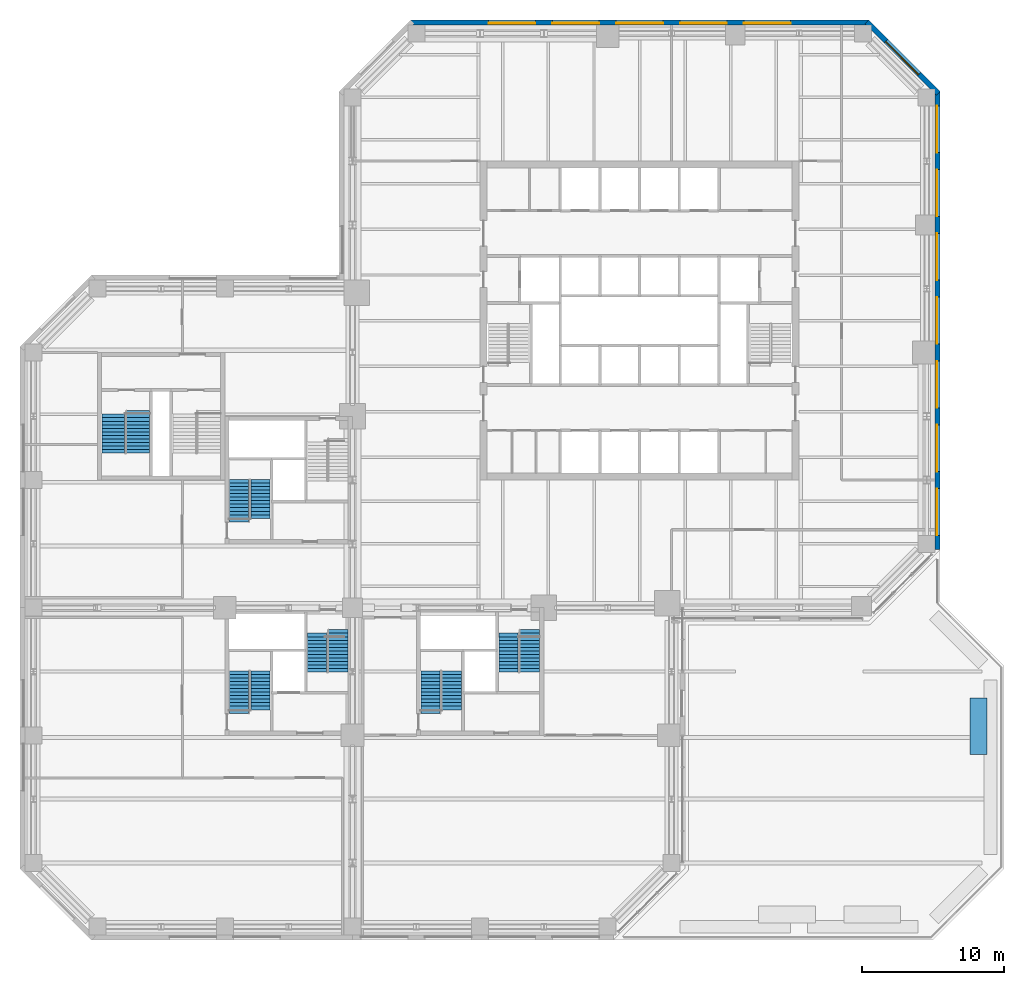
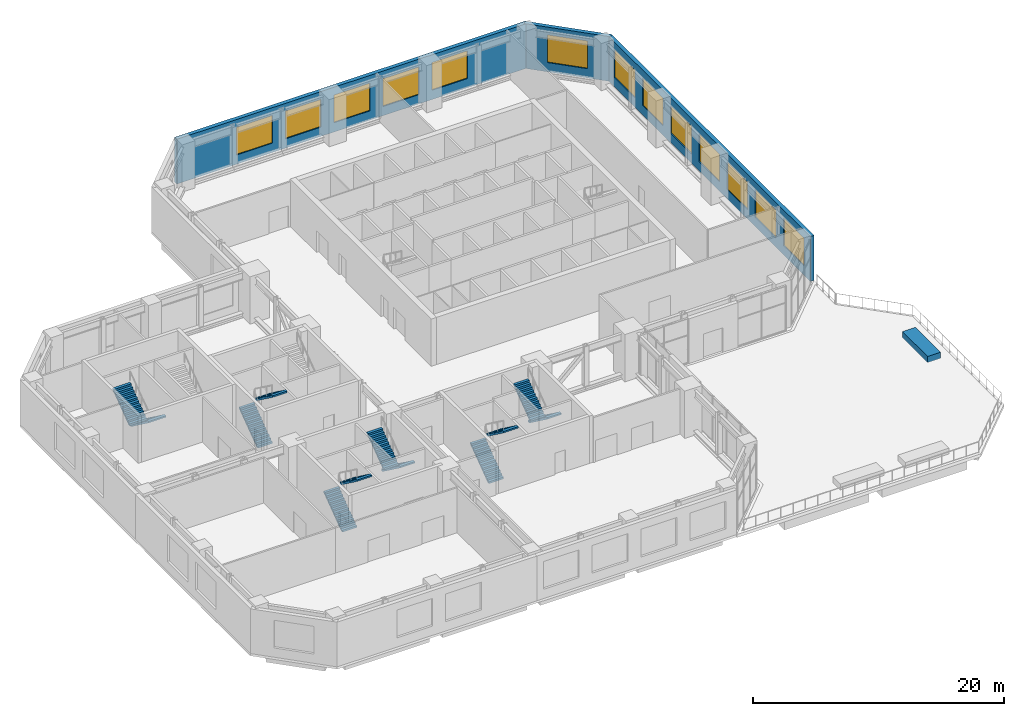
# One storey, part 17 of 21: 13 windows, 12 stair flights, 4 walls, 13 openings, 6 elements without a shape of their own.
"""IFC4 building model written with IfcOpenShell, lengths in metres."""

from ifc_helpers import new_model, si_unit, direction, frame, frame_2d, origin, place, context, subcontext, project, spatial, polyline, rectangle, outline, extrude, material, layer, layer_set, constituent, constituent_set, type_object, element, fill, aggregate, save


model = new_model("IFC4")

# Units and contexts
model_context = context("Model", 3, precision=1e-05, world=origin(), true_north=direction((0.0, 1.0)))
body_context = subcontext(model_context, "Body", "Model", "MODEL_VIEW")
ifc_project = project(units=[si_unit("LENGTHUNIT", "METRE"), si_unit("AREAUNIT", "SQUARE_METRE"), si_unit("VOLUMEUNIT", "CUBIC_METRE"), si_unit("PLANEANGLEUNIT", "RADIAN"), si_unit("MASSUNIT", "GRAM", prefix="KILO")], contexts=[model_context])

# Site, building, storey
site_placement = place(None, origin())
site = spatial("IfcSite", under=ifc_project, at=site_placement, CompositionType="ELEMENT")
building_placement = place(site_placement, origin())
building = spatial("IfcBuilding", under=site, at=building_placement, Name="Quoin Convention Tower", CompositionType="ELEMENT")
storey_placement = place(building_placement, frame((0.0, 0.0, 18.5)))
storey = spatial("IfcBuildingStorey", under=building, at=storey_placement, Name="L03", CompositionType="ELEMENT", Elevation=18.5)

# Wall, openings, windows
ifc_material_1 = material(Name="Brick masonry", Category="masonry")
ifc_layer_1 = layer(ifc_material_1, 0.35009765625)
ifc_layer_set_1 = layer_set([ifc_layer_1], Name="Brick masonry")
wall_type_1 = type_object("IfcWallType", Name="Brick facade wall", PredefinedType="STANDARD", material=ifc_layer_set_1)
wall_1_placement = place(storey_placement, frame((77.27490234375, 44.6064453125, 0.0), z_axis=(0.0, 0.0, 1.0), x_axis=(0.0, 1.0, 0.0)))
wall_1 = element("IfcWall", 1, at=wall_1_placement, inside=storey, type_object=wall_type_1, Name="fw-L03-76500_45000", PredefinedType="STANDARD", context=body_context, shape_type="SweptSolid", body=[
    extrude(rectangle(XDim=32.287109375, YDim=0.35009765625, at=frame_2d((16.1435546875, 0.0))), origin(), (0.0, 0.0, 1.0), 4.35498046875),
])
opening_1_placement = place(wall_1_placement, frame((0.993408203125, 0.0, 0.89990234375)))
opening_1 = element("IfcOpeningElement", 2, at=opening_1_placement, cuts=wall_1, Name="Opening W-03", PredefinedType="OPENING", context=body_context, shape_type="SweptSolid", body=[
    extrude(rectangle(XDim=3.300048828125, YDim=2.699951171875, at=frame_2d((1.64990234375, 1.35009765625))), frame((0.0, 0.18505859375, 0.0), z_axis=(0.0, -1.0, 0.0), x_axis=(1.0, 0.0, 0.0)), (0.0, 0.0, 1.0), 0.3701171875),
])
opening_2_placement = place(wall_1_placement, frame((5.493408203125, 0.0, 0.89990234375)))
opening_2 = element("IfcOpeningElement", 3, at=opening_2_placement, cuts=wall_1, Name="Opening W-03", PredefinedType="OPENING", context=body_context, shape_type="SweptSolid", body=[
    extrude(rectangle(XDim=3.300048828125, YDim=2.699951171875, at=frame_2d((1.64990234375, 1.35009765625))), frame((0.0, 0.18505859375, 0.0), z_axis=(0.0, -1.0, 0.0), x_axis=(1.0, 0.0, 0.0)), (0.0, 0.0, 1.0), 0.3701171875),
])
opening_3_placement = place(wall_1_placement, frame((9.993408203125, 0.0, 0.89990234375)))
opening_3 = element("IfcOpeningElement", 4, at=opening_3_placement, cuts=wall_1, Name="Opening W-03", PredefinedType="OPENING", context=body_context, shape_type="SweptSolid", body=[
    extrude(rectangle(XDim=3.300048828125, YDim=2.699951171875, at=frame_2d((1.64990234375, 1.35009765625))), frame((0.0, 0.18505859375, 0.0), z_axis=(0.0, -1.0, 0.0), x_axis=(1.0, 0.0, 0.0)), (0.0, 0.0, 1.0), 0.3701171875),
])
opening_4_placement = place(wall_1_placement, frame((14.493408203125, 0.0, 0.89990234375)))
opening_4 = element("IfcOpeningElement", 5, at=opening_4_placement, cuts=wall_1, Name="Opening W-03", PredefinedType="OPENING", context=body_context, shape_type="SweptSolid", body=[
    extrude(rectangle(XDim=3.300048828125, YDim=2.699951171875, at=frame_2d((1.64990234375, 1.35009765625))), frame((0.0, 0.18505859375, 0.0), z_axis=(0.0, -1.0, 0.0), x_axis=(1.0, 0.0, 0.0)), (0.0, 0.0, 1.0), 0.3701171875),
])
opening_5_placement = place(wall_1_placement, frame((18.993408203125, 0.0, 0.89990234375)))
opening_5 = element("IfcOpeningElement", 6, at=opening_5_placement, cuts=wall_1, Name="Opening W-03", PredefinedType="OPENING", context=body_context, shape_type="SweptSolid", body=[
    extrude(rectangle(XDim=3.300048828125, YDim=2.699951171875, at=frame_2d((1.64990234375, 1.35009765625))), frame((0.0, 0.18505859375, 0.0), z_axis=(0.0, -1.0, 0.0), x_axis=(1.0, 0.0, 0.0)), (0.0, 0.0, 1.0), 0.3701171875),
])
opening_6_placement = place(wall_1_placement, frame((23.493408203125, 0.0, 0.89990234375)))
opening_6 = element("IfcOpeningElement", 7, at=opening_6_placement, cuts=wall_1, Name="Opening W-03", PredefinedType="OPENING", context=body_context, shape_type="SweptSolid", body=[
    extrude(rectangle(XDim=3.300048828125, YDim=2.699951171875, at=frame_2d((1.64990234375, 1.35009765625))), frame((0.0, 0.18505859375, 0.0), z_axis=(0.0, -1.0, 0.0), x_axis=(1.0, 0.0, 0.0)), (0.0, 0.0, 1.0), 0.3701171875),
])
opening_7_placement = place(wall_1_placement, frame((27.993408203125, 0.0, 0.89990234375)))
opening_7 = element("IfcOpeningElement", 8, at=opening_7_placement, cuts=wall_1, Name="Opening W-03", PredefinedType="OPENING", context=body_context, shape_type="SweptSolid", body=[
    extrude(rectangle(XDim=3.300048828125, YDim=2.699951171875, at=frame_2d((1.64990234375, 1.35009765625))), frame((0.0, 0.18505859375, 0.0), z_axis=(0.0, -1.0, 0.0), x_axis=(1.0, 0.0, 0.0)), (0.0, 0.0, 1.0), 0.3701171875),
])
ifc_material_2 = material(Name="Aluminium", Category="aluminium")
ifc_constituent_1 = constituent(ifc_material_2, Name="Frame")
ifc_material_3 = material(Name="Insulated glass", Category="glass")
ifc_constituent_2 = constituent(ifc_material_3, Name="Glazing")
ifc_constituent_set = constituent_set(constituents=[ifc_constituent_1, ifc_constituent_2], Name="Aluminium")
window_type = type_object("IfcWindowType", Name="Sky lobby window", PartitioningType="DOUBLE_PANEL_VERTICAL", PredefinedType="WINDOW", material=ifc_constituent_set)
window_1_placement = place(opening_1_placement, origin())
window_1 = element("IfcWindow", 9, at=window_1_placement, inside=storey, type_object=window_type, Name="win-L03-77275_47250", OverallHeight=2.699951171875, OverallWidth=3.300048828125, PartitioningType="SINGLE_PANEL", PredefinedType="WINDOW", context=body_context, shape_type="SweptSolid", body=[
    extrude(rectangle(XDim=3.300048828125, YDim=2.699951171875, at=frame_2d((1.64990234375, 1.35009765625))), frame((0.0, 0.0849609375, 0.0), z_axis=(0.0, -1.0, 0.0), x_axis=(1.0, 0.0, 0.0)), (0.0, 0.0, 1.0), 0.06005859375),
])
fill(opening_1, window_1)
window_2_placement = place(opening_2_placement, origin())
window_2 = element("IfcWindow", 10, at=window_2_placement, inside=storey, type_object=window_type, Name="win-L03-77275_51750", OverallHeight=2.699951171875, OverallWidth=3.300048828125, PartitioningType="SINGLE_PANEL", PredefinedType="WINDOW", context=body_context, shape_type="SweptSolid", body=[
    extrude(rectangle(XDim=3.300048828125, YDim=2.699951171875, at=frame_2d((1.64990234375, 1.35009765625))), frame((0.0, 0.0849609375, 0.0), z_axis=(0.0, -1.0, 0.0), x_axis=(1.0, 0.0, 0.0)), (0.0, 0.0, 1.0), 0.06005859375),
])
fill(opening_2, window_2)
window_3_placement = place(opening_3_placement, origin())
window_3 = element("IfcWindow", 11, at=window_3_placement, inside=storey, type_object=window_type, Name="win-L03-77275_56250", OverallHeight=2.699951171875, OverallWidth=3.300048828125, PartitioningType="SINGLE_PANEL", PredefinedType="WINDOW", context=body_context, shape_type="SweptSolid", body=[
    extrude(rectangle(XDim=3.300048828125, YDim=2.699951171875, at=frame_2d((1.64990234375, 1.35009765625))), frame((0.0, 0.0849609375, 0.0), z_axis=(0.0, -1.0, 0.0), x_axis=(1.0, 0.0, 0.0)), (0.0, 0.0, 1.0), 0.06005859375),
])
fill(opening_3, window_3)
window_4_placement = place(opening_4_placement, origin())
window_4 = element("IfcWindow", 12, at=window_4_placement, inside=storey, type_object=window_type, Name="win-L03-77275_60750", OverallHeight=2.699951171875, OverallWidth=3.300048828125, PartitioningType="SINGLE_PANEL", PredefinedType="WINDOW", context=body_context, shape_type="SweptSolid", body=[
    extrude(rectangle(XDim=3.300048828125, YDim=2.699951171875, at=frame_2d((1.64990234375, 1.35009765625))), frame((0.0, 0.0849609375, 0.0), z_axis=(0.0, -1.0, 0.0), x_axis=(1.0, 0.0, 0.0)), (0.0, 0.0, 1.0), 0.06005859375),
])
fill(opening_4, window_4)
window_5_placement = place(opening_5_placement, origin())
window_5 = element("IfcWindow", 13, at=window_5_placement, inside=storey, type_object=window_type, Name="win-L03-77275_65250", OverallHeight=2.699951171875, OverallWidth=3.300048828125, PartitioningType="SINGLE_PANEL", PredefinedType="WINDOW", context=body_context, shape_type="SweptSolid", body=[
    extrude(rectangle(XDim=3.300048828125, YDim=2.699951171875, at=frame_2d((1.64990234375, 1.35009765625))), frame((0.0, 0.0849609375, 0.0), z_axis=(0.0, -1.0, 0.0), x_axis=(1.0, 0.0, 0.0)), (0.0, 0.0, 1.0), 0.06005859375),
])
fill(opening_5, window_5)
window_6_placement = place(opening_6_placement, origin())
window_6 = element("IfcWindow", 14, at=window_6_placement, inside=storey, type_object=window_type, Name="win-L03-77275_69750", OverallHeight=2.699951171875, OverallWidth=3.300048828125, PartitioningType="SINGLE_PANEL", PredefinedType="WINDOW", context=body_context, shape_type="SweptSolid", body=[
    extrude(rectangle(XDim=3.300048828125, YDim=2.699951171875, at=frame_2d((1.64990234375, 1.35009765625))), frame((0.0, 0.0849609375, 0.0), z_axis=(0.0, -1.0, 0.0), x_axis=(1.0, 0.0, 0.0)), (0.0, 0.0, 1.0), 0.06005859375),
])
fill(opening_6, window_6)
window_7_placement = place(opening_7_placement, origin())
window_7 = element("IfcWindow", 15, at=window_7_placement, inside=storey, type_object=window_type, Name="win-L03-77275_74250", OverallHeight=2.699951171875, OverallWidth=3.300048828125, PartitioningType="SINGLE_PANEL", PredefinedType="WINDOW", context=body_context, shape_type="SweptSolid", body=[
    extrude(rectangle(XDim=3.300048828125, YDim=2.699951171875, at=frame_2d((1.64990234375, 1.35009765625))), frame((0.0, 0.0849609375, 0.0), z_axis=(0.0, -1.0, 0.0), x_axis=(1.0, 0.0, 0.0)), (0.0, 0.0, 1.0), 0.06005859375),
])
fill(opening_7, window_7)

# Wall, opening, window
wall_2_placement = place(storey_placement, frame((77.326416015625, 76.769775390625, 0.0), z_axis=(0.0, 0.0, 1.0), x_axis=(-0.707106781187, 0.707106781187, 0.0)))
wall_2 = element("IfcWall", 16, at=wall_2_placement, inside=storey, type_object=wall_type_1, Name="fw-L03-76500_76500", PredefinedType="STANDARD", context=body_context, shape_type="SweptSolid", body=[
    extrude(rectangle(XDim=7.151123046875, YDim=0.35009765625, at=frame_2d((3.57568359375, 0.0))), origin(), (0.0, 0.0, 1.0), 4.35498046875),
])
opening_8_placement = place(wall_2_placement, frame((1.925537109375, 0.0, 0.89990234375)))
opening_8 = element("IfcOpeningElement", 17, at=opening_8_placement, cuts=wall_2, Name="Opening W-03", PredefinedType="OPENING", context=body_context, shape_type="SweptSolid", body=[
    extrude(rectangle(XDim=3.300048828125, YDim=2.699951171875, at=frame_2d((1.64990234375, 1.35009765625))), frame((0.0, 0.18505859375, 0.0), z_axis=(0.0, -1.0, 0.0), x_axis=(1.0, 0.0, 0.0)), (0.0, 0.0, 1.0), 0.3701171875),
])
window_8_placement = place(opening_8_placement, origin())
window_8 = element("IfcWindow", 18, at=window_8_placement, inside=storey, type_object=window_type, Name="win-L03-74798_79298", OverallHeight=2.699951171875, OverallWidth=3.300048828125, PartitioningType="SINGLE_PANEL", PredefinedType="WINDOW", context=body_context, shape_type="SweptSolid", body=[
    extrude(rectangle(XDim=3.300048828125, YDim=2.699951171875, at=frame_2d((1.64990234375, 1.35009765625))), frame((0.0, 0.0849609375, 0.0), z_axis=(0.0, -1.0, 0.0), x_axis=(1.0, 0.0, 0.0)), (0.0, 0.0, 1.0), 0.06005859375),
])
fill(opening_8, window_8)

# Wall, openings, windows
wall_3_placement = place(storey_placement, frame((72.3935546875, 81.77490234375, 0.0), z_axis=(0.0, 0.0, 1.0), x_axis=(-1.0, 0.0, 0.0)))
wall_3 = element("IfcWall", 19, at=wall_3_placement, inside=storey, type_object=wall_type_1, Name="fw-L03-72000_81000", PredefinedType="STANDARD", context=body_context, shape_type="SweptSolid", body=[
    extrude(rectangle(XDim=32.287109375, YDim=0.35009765625, at=frame_2d((16.1435546875, 0.0))), origin(), (0.0, 0.0, 1.0), 4.35498046875),
])
opening_9_placement = place(wall_3_placement, frame((5.493408203125, 0.0, 0.89990234375)))
opening_9 = element("IfcOpeningElement", 20, at=opening_9_placement, cuts=wall_3, Name="Opening W-03", PredefinedType="OPENING", context=body_context, shape_type="SweptSolid", body=[
    extrude(rectangle(XDim=3.300048828125, YDim=2.699951171875, at=frame_2d((1.64990234375, 1.35009765625))), frame((0.0, 0.18505859375, 0.0), z_axis=(0.0, -1.0, 0.0), x_axis=(1.0, 0.0, 0.0)), (0.0, 0.0, 1.0), 0.3701171875),
])
opening_10_placement = place(wall_3_placement, frame((9.993408203125, 0.0, 0.89990234375)))
opening_10 = element("IfcOpeningElement", 21, at=opening_10_placement, cuts=wall_3, Name="Opening W-03", PredefinedType="OPENING", context=body_context, shape_type="SweptSolid", body=[
    extrude(rectangle(XDim=3.300048828125, YDim=2.699951171875, at=frame_2d((1.64990234375, 1.35009765625))), frame((0.0, 0.18505859375, 0.0), z_axis=(0.0, -1.0, 0.0), x_axis=(1.0, 0.0, 0.0)), (0.0, 0.0, 1.0), 0.3701171875),
])
opening_11_placement = place(wall_3_placement, frame((14.493408203125, 0.0, 0.89990234375)))
opening_11 = element("IfcOpeningElement", 22, at=opening_11_placement, cuts=wall_3, Name="Opening W-03", PredefinedType="OPENING", context=body_context, shape_type="SweptSolid", body=[
    extrude(rectangle(XDim=3.300048828125, YDim=2.699951171875, at=frame_2d((1.64990234375, 1.35009765625))), frame((0.0, 0.18505859375, 0.0), z_axis=(0.0, -1.0, 0.0), x_axis=(1.0, 0.0, 0.0)), (0.0, 0.0, 1.0), 0.3701171875),
])
opening_12_placement = place(wall_3_placement, frame((18.993408203125, 0.0, 0.89990234375)))
opening_12 = element("IfcOpeningElement", 23, at=opening_12_placement, cuts=wall_3, Name="Opening W-03", PredefinedType="OPENING", context=body_context, shape_type="SweptSolid", body=[
    extrude(rectangle(XDim=3.300048828125, YDim=2.699951171875, at=frame_2d((1.64990234375, 1.35009765625))), frame((0.0, 0.18505859375, 0.0), z_axis=(0.0, -1.0, 0.0), x_axis=(1.0, 0.0, 0.0)), (0.0, 0.0, 1.0), 0.3701171875),
])
opening_13_placement = place(wall_3_placement, frame((23.493408203125, 0.0, 0.89990234375)))
opening_13 = element("IfcOpeningElement", 24, at=opening_13_placement, cuts=wall_3, Name="Opening W-03", PredefinedType="OPENING", context=body_context, shape_type="SweptSolid", body=[
    extrude(rectangle(XDim=3.300048828125, YDim=2.699951171875, at=frame_2d((1.64990234375, 1.35009765625))), frame((0.0, 0.18505859375, 0.0), z_axis=(0.0, -1.0, 0.0), x_axis=(1.0, 0.0, 0.0)), (0.0, 0.0, 1.0), 0.3701171875),
])
window_9_placement = place(opening_9_placement, origin())
window_9 = element("IfcWindow", 25, at=window_9_placement, inside=storey, type_object=window_type, Name="win-L03-65250_81775", OverallHeight=2.699951171875, OverallWidth=3.300048828125, PartitioningType="SINGLE_PANEL", PredefinedType="WINDOW", context=body_context, shape_type="SweptSolid", body=[
    extrude(rectangle(XDim=3.300048828125, YDim=2.699951171875, at=frame_2d((1.64990234375, 1.35009765625))), frame((0.0, 0.0849609375, 0.0), z_axis=(0.0, -1.0, 0.0), x_axis=(1.0, 0.0, 0.0)), (0.0, 0.0, 1.0), 0.06005859375),
])
fill(opening_9, window_9)
window_10_placement = place(opening_10_placement, origin())
window_10 = element("IfcWindow", 26, at=window_10_placement, inside=storey, type_object=window_type, Name="win-L03-60750_81775", OverallHeight=2.699951171875, OverallWidth=3.300048828125, PartitioningType="SINGLE_PANEL", PredefinedType="WINDOW", context=body_context, shape_type="SweptSolid", body=[
    extrude(rectangle(XDim=3.300048828125, YDim=2.699951171875, at=frame_2d((1.64990234375, 1.35009765625))), frame((0.0, 0.0849609375, 0.0), z_axis=(0.0, -1.0, 0.0), x_axis=(1.0, 0.0, 0.0)), (0.0, 0.0, 1.0), 0.06005859375),
])
fill(opening_10, window_10)
window_11_placement = place(opening_11_placement, origin())
window_11 = element("IfcWindow", 27, at=window_11_placement, inside=storey, type_object=window_type, Name="win-L03-56250_81775", OverallHeight=2.699951171875, OverallWidth=3.300048828125, PartitioningType="SINGLE_PANEL", PredefinedType="WINDOW", context=body_context, shape_type="SweptSolid", body=[
    extrude(rectangle(XDim=3.300048828125, YDim=2.699951171875, at=frame_2d((1.64990234375, 1.35009765625))), frame((0.0, 0.0849609375, 0.0), z_axis=(0.0, -1.0, 0.0), x_axis=(1.0, 0.0, 0.0)), (0.0, 0.0, 1.0), 0.06005859375),
])
fill(opening_11, window_11)
window_12_placement = place(opening_12_placement, origin())
window_12 = element("IfcWindow", 28, at=window_12_placement, inside=storey, type_object=window_type, Name="win-L03-51750_81775", OverallHeight=2.699951171875, OverallWidth=3.300048828125, PartitioningType="SINGLE_PANEL", PredefinedType="WINDOW", context=body_context, shape_type="SweptSolid", body=[
    extrude(rectangle(XDim=3.300048828125, YDim=2.699951171875, at=frame_2d((1.64990234375, 1.35009765625))), frame((0.0, 0.0849609375, 0.0), z_axis=(0.0, -1.0, 0.0), x_axis=(1.0, 0.0, 0.0)), (0.0, 0.0, 1.0), 0.06005859375),
])
fill(opening_12, window_12)
window_13_placement = place(opening_13_placement, origin())
window_13 = element("IfcWindow", 29, at=window_13_placement, inside=storey, type_object=window_type, Name="win-L03-47250_81775", OverallHeight=2.699951171875, OverallWidth=3.300048828125, PartitioningType="SINGLE_PANEL", PredefinedType="WINDOW", context=body_context, shape_type="SweptSolid", body=[
    extrude(rectangle(XDim=3.300048828125, YDim=2.699951171875, at=frame_2d((1.64990234375, 1.35009765625))), frame((0.0, 0.0849609375, 0.0), z_axis=(0.0, -1.0, 0.0), x_axis=(1.0, 0.0, 0.0)), (0.0, 0.0, 1.0), 0.06005859375),
])
fill(opening_13, window_13)

# Wall
ifc_material_4 = material(Name="Concrete C40", Category="concrete")
ifc_layer_2 = layer(ifc_material_4, 1.199951171875)
ifc_layer_set_2 = layer_set([ifc_layer_2], Name="Concrete C40")
wall_type_2 = type_object("IfcWallType", Name="Planter bed", PredefinedType="STANDARD", material=ifc_layer_set_2)
wall_4_placement = place(storey_placement, frame((80.14990234375, 34.14794921875, 0.0), z_axis=(0.0, 0.0, 1.0), x_axis=(0.0, -1.0, 0.0)))
element("IfcWall", 30, at=wall_4_placement, inside=storey, type_object=wall_type_2, Name="PLANTER L03 01", PredefinedType="STANDARD", context=body_context, shape_type="SweptSolid", body=[
    extrude(rectangle(XDim=4.0, YDim=1.199951171875, at=frame_2d((2.0, 0.0))), origin(), (0.0, 0.0, 1.0), 0.60009765625),
])

# Stair, stair flights
stair_type_1 = type_object("IfcStairType", Name="Exit stair two-flight 1350", PredefinedType="HALF_TURN_STAIR", material=ifc_material_4)
stair_1_placement = place(storey_placement, origin())
stair_1 = element("IfcStair", 31, at=stair_1_placement, inside=storey, type_object=stair_type_1, Name="SD3 L03", PredefinedType="HALF_TURN_STAIR")
stair_flight_type_1 = type_object("IfcStairFlightType", Name="Stair flight 1350", PredefinedType="STRAIGHT", material=ifc_material_4)
stair_flight_1_placement = place(storey_placement, frame((28.0, 46.550048828125, 0.0), z_axis=(0.0, 0.0, 1.0), x_axis=(0.0, 1.0, 0.0)))
stair_flight_1 = element("IfcStairFlight", 32, at=stair_flight_1_placement, type_object=stair_flight_type_1, Name="ST3 flight 1", NumberOfRisers=13, NumberOfTreads=12, PredefinedType="STRAIGHT", RiserHeight=0.184, TreadLength=0.25, context=body_context, shape_type="SweptSolid", body=[
    extrude(outline(polyline([(0.0, 0.0), (0.0, 0.18408203125), (0.25, 0.18408203125), (0.25, 0.367919921875), (0.5, 0.367919921875), (0.5, 0.552001953125), (0.75, 0.552001953125), (0.75, 0.736083984375), (1.0, 0.736083984375), (1.0, 0.919921875), (1.25, 0.919921875), (1.25, 1.10400390625), (1.5, 1.10400390625), (1.5, 1.2880859375), (1.75, 1.2880859375), (1.75, 1.471923828125), (2.0, 1.471923828125), (2.0, 1.656005859375), (2.25, 1.656005859375), (2.25, 1.840087890625), (2.5, 1.840087890625), (2.5, 2.02392578125), (2.75, 2.02392578125), (2.75, 2.2080078125), (3.0, 2.2080078125), (3.0, 2.39208984375), (3.0, 2.058837890625), (0.20263671875, 0.0), (0.0, 0.0)])), frame((0.0, 0.675048828125, 0.0), z_axis=(0.0, -1.0, 0.0), x_axis=(1.0, 0.0, 0.0)), (0.0, 0.0, 1.0), 1.35009765625),
])
stair_flight_2_placement = place(storey_placement, frame((29.5, 49.550048828125, 2.39208984375), z_axis=(0.0, 0.0, 1.0), x_axis=(0.0, -1.0, 0.0)))
stair_flight_2 = element("IfcStairFlight", 33, at=stair_flight_2_placement, type_object=stair_flight_type_1, Name="ST3 flight 2", NumberOfRisers=12, NumberOfTreads=11, PredefinedType="STRAIGHT", RiserHeight=0.184, TreadLength=0.25, context=body_context, shape_type="SweptSolid", body=[
    extrude(outline(polyline([(0.0, 0.0), (0.0, 0.18408203125), (0.25, 0.18408203125), (0.25, 0.367919921875), (0.5, 0.367919921875), (0.5, 0.552001953125), (0.75, 0.552001953125), (0.75, 0.736083984375), (1.0, 0.736083984375), (1.0, 0.919921875), (1.25, 0.919921875), (1.25, 1.10400390625), (1.5, 1.10400390625), (1.5, 1.2880859375), (1.75, 1.2880859375), (1.75, 1.471923828125), (2.0, 1.471923828125), (2.0, 1.656005859375), (2.25, 1.656005859375), (2.25, 1.840087890625), (2.5, 1.840087890625), (2.5, 2.02392578125), (2.75, 2.02392578125), (2.75, 2.2080078125), (2.75, 1.874755859375), (0.20263671875, 0.0), (0.0, 0.0)])), frame((0.0, 0.675048828125, 0.0), z_axis=(0.0, -1.0, 0.0), x_axis=(1.0, 0.0, 0.0)), (0.0, 0.0, 1.0), 1.35009765625),
])
aggregate(stair_1, [stair_flight_1, stair_flight_2])

stair_2_placement = place(storey_placement, origin())
stair_2 = element("IfcStair", 34, at=stair_2_placement, inside=storey, type_object=stair_type_1, Name="SD5 L03", PredefinedType="HALF_TURN_STAIR")
stair_flight_3_placement = place(storey_placement, frame((41.5, 33.050048828125, 0.0), z_axis=(0.0, 0.0, 1.0), x_axis=(0.0, 1.0, 0.0)))
stair_flight_3 = element("IfcStairFlight", 35, at=stair_flight_3_placement, type_object=stair_flight_type_1, Name="ST5 flight 1", NumberOfRisers=13, NumberOfTreads=12, PredefinedType="STRAIGHT", RiserHeight=0.184, TreadLength=0.25, context=body_context, shape_type="SweptSolid", body=[
    extrude(outline(polyline([(0.0, 0.0), (0.0, 0.18408203125), (0.25, 0.18408203125), (0.25, 0.367919921875), (0.5, 0.367919921875), (0.5, 0.552001953125), (0.75, 0.552001953125), (0.75, 0.736083984375), (1.0, 0.736083984375), (1.0, 0.919921875), (1.25, 0.919921875), (1.25, 1.10400390625), (1.5, 1.10400390625), (1.5, 1.2880859375), (1.75, 1.2880859375), (1.75, 1.471923828125), (2.0, 1.471923828125), (2.0, 1.656005859375), (2.25, 1.656005859375), (2.25, 1.840087890625), (2.5, 1.840087890625), (2.5, 2.02392578125), (2.75, 2.02392578125), (2.75, 2.2080078125), (3.0, 2.2080078125), (3.0, 2.39208984375), (3.0, 2.058837890625), (0.20263671875, 0.0), (0.0, 0.0)])), frame((0.0, 0.675048828125, 0.0), z_axis=(0.0, -1.0, 0.0), x_axis=(1.0, 0.0, 0.0)), (0.0, 0.0, 1.0), 1.35009765625),
])
stair_flight_4_placement = place(storey_placement, frame((43.0, 36.050048828125, 2.39208984375), z_axis=(0.0, 0.0, 1.0), x_axis=(0.0, -1.0, 0.0)))
stair_flight_4 = element("IfcStairFlight", 36, at=stair_flight_4_placement, type_object=stair_flight_type_1, Name="ST5 flight 2", NumberOfRisers=12, NumberOfTreads=11, PredefinedType="STRAIGHT", RiserHeight=0.184, TreadLength=0.25, context=body_context, shape_type="SweptSolid", body=[
    extrude(outline(polyline([(0.0, 0.0), (0.0, 0.18408203125), (0.25, 0.18408203125), (0.25, 0.367919921875), (0.5, 0.367919921875), (0.5, 0.552001953125), (0.75, 0.552001953125), (0.75, 0.736083984375), (1.0, 0.736083984375), (1.0, 0.919921875), (1.25, 0.919921875), (1.25, 1.10400390625), (1.5, 1.10400390625), (1.5, 1.2880859375), (1.75, 1.2880859375), (1.75, 1.471923828125), (2.0, 1.471923828125), (2.0, 1.656005859375), (2.25, 1.656005859375), (2.25, 1.840087890625), (2.5, 1.840087890625), (2.5, 2.02392578125), (2.75, 2.02392578125), (2.75, 2.2080078125), (2.75, 1.874755859375), (0.20263671875, 0.0), (0.0, 0.0)])), frame((0.0, 0.675048828125, 0.0), z_axis=(0.0, -1.0, 0.0), x_axis=(1.0, 0.0, 0.0)), (0.0, 0.0, 1.0), 1.35009765625),
])
aggregate(stair_2, [stair_flight_3, stair_flight_4])

stair_3_placement = place(storey_placement, origin())
stair_3 = element("IfcStair", 37, at=stair_3_placement, inside=storey, type_object=stair_type_1, Name="SD6 L03", PredefinedType="HALF_TURN_STAIR")
stair_flight_5_placement = place(storey_placement, frame((48.5, 38.949951171875, 0.0), z_axis=(0.0, 0.0, 1.0), x_axis=(0.0, -1.0, 0.0)))
stair_flight_5 = element("IfcStairFlight", 38, at=stair_flight_5_placement, type_object=stair_flight_type_1, Name="ST6 flight 1", NumberOfRisers=13, NumberOfTreads=12, PredefinedType="STRAIGHT", RiserHeight=0.184, TreadLength=0.25, context=body_context, shape_type="SweptSolid", body=[
    extrude(outline(polyline([(0.0, 0.0), (0.0, 0.18408203125), (0.25, 0.18408203125), (0.25, 0.367919921875), (0.5, 0.367919921875), (0.5, 0.552001953125), (0.75, 0.552001953125), (0.75, 0.736083984375), (1.0, 0.736083984375), (1.0, 0.919921875), (1.25, 0.919921875), (1.25, 1.10400390625), (1.5, 1.10400390625), (1.5, 1.2880859375), (1.75, 1.2880859375), (1.75, 1.471923828125), (2.0, 1.471923828125), (2.0, 1.656005859375), (2.25, 1.656005859375), (2.25, 1.840087890625), (2.5, 1.840087890625), (2.5, 2.02392578125), (2.75, 2.02392578125), (2.75, 2.2080078125), (3.0, 2.2080078125), (3.0, 2.39208984375), (3.0, 2.058837890625), (0.20263671875, 0.0), (0.0, 0.0)])), frame((0.0, 0.675048828125, 0.0), z_axis=(0.0, -1.0, 0.0), x_axis=(1.0, 0.0, 0.0)), (0.0, 0.0, 1.0), 1.35009765625),
])
stair_flight_6_placement = place(storey_placement, frame((47.0, 35.949951171875, 2.39208984375), z_axis=(0.0, 0.0, 1.0), x_axis=(0.0, 1.0, 0.0)))
stair_flight_6 = element("IfcStairFlight", 39, at=stair_flight_6_placement, type_object=stair_flight_type_1, Name="ST6 flight 2", NumberOfRisers=12, NumberOfTreads=11, PredefinedType="STRAIGHT", RiserHeight=0.184, TreadLength=0.25, context=body_context, shape_type="SweptSolid", body=[
    extrude(outline(polyline([(0.0, 0.0), (0.0, 0.18408203125), (0.25, 0.18408203125), (0.25, 0.367919921875), (0.5, 0.367919921875), (0.5, 0.552001953125), (0.75, 0.552001953125), (0.75, 0.736083984375), (1.0, 0.736083984375), (1.0, 0.919921875), (1.25, 0.919921875), (1.25, 1.10400390625), (1.5, 1.10400390625), (1.5, 1.2880859375), (1.75, 1.2880859375), (1.75, 1.471923828125), (2.0, 1.471923828125), (2.0, 1.656005859375), (2.25, 1.656005859375), (2.25, 1.840087890625), (2.5, 1.840087890625), (2.5, 2.02392578125), (2.75, 2.02392578125), (2.75, 2.2080078125), (2.75, 1.874755859375), (0.20263671875, 0.0), (0.0, 0.0)])), frame((0.0, 0.675048828125, 0.0), z_axis=(0.0, -1.0, 0.0), x_axis=(1.0, 0.0, 0.0)), (0.0, 0.0, 1.0), 1.35009765625),
])
aggregate(stair_3, [stair_flight_5, stair_flight_6])

stair_4_placement = place(storey_placement, origin())
stair_4 = element("IfcStair", 40, at=stair_4_placement, inside=storey, type_object=stair_type_1, Name="SD7 L03", PredefinedType="HALF_TURN_STAIR")
stair_flight_7_placement = place(storey_placement, frame((28.0, 33.050048828125, 0.0), z_axis=(0.0, 0.0, 1.0), x_axis=(0.0, 1.0, 0.0)))
stair_flight_7 = element("IfcStairFlight", 41, at=stair_flight_7_placement, type_object=stair_flight_type_1, Name="ST7 flight 1", NumberOfRisers=13, NumberOfTreads=12, PredefinedType="STRAIGHT", RiserHeight=0.184, TreadLength=0.25, context=body_context, shape_type="SweptSolid", body=[
    extrude(outline(polyline([(0.0, 0.0), (0.0, 0.18408203125), (0.25, 0.18408203125), (0.25, 0.367919921875), (0.5, 0.367919921875), (0.5, 0.552001953125), (0.75, 0.552001953125), (0.75, 0.736083984375), (1.0, 0.736083984375), (1.0, 0.919921875), (1.25, 0.919921875), (1.25, 1.10400390625), (1.5, 1.10400390625), (1.5, 1.2880859375), (1.75, 1.2880859375), (1.75, 1.471923828125), (2.0, 1.471923828125), (2.0, 1.656005859375), (2.25, 1.656005859375), (2.25, 1.840087890625), (2.5, 1.840087890625), (2.5, 2.02392578125), (2.75, 2.02392578125), (2.75, 2.2080078125), (3.0, 2.2080078125), (3.0, 2.39208984375), (3.0, 2.058837890625), (0.20263671875, 0.0), (0.0, 0.0)])), frame((0.0, 0.675048828125, 0.0), z_axis=(0.0, -1.0, 0.0), x_axis=(1.0, 0.0, 0.0)), (0.0, 0.0, 1.0), 1.35009765625),
])
stair_flight_8_placement = place(storey_placement, frame((29.5, 36.050048828125, 2.39208984375), z_axis=(0.0, 0.0, 1.0), x_axis=(0.0, -1.0, 0.0)))
stair_flight_8 = element("IfcStairFlight", 42, at=stair_flight_8_placement, type_object=stair_flight_type_1, Name="ST7 flight 2", NumberOfRisers=12, NumberOfTreads=11, PredefinedType="STRAIGHT", RiserHeight=0.184, TreadLength=0.25, context=body_context, shape_type="SweptSolid", body=[
    extrude(outline(polyline([(0.0, 0.0), (0.0, 0.18408203125), (0.25, 0.18408203125), (0.25, 0.367919921875), (0.5, 0.367919921875), (0.5, 0.552001953125), (0.75, 0.552001953125), (0.75, 0.736083984375), (1.0, 0.736083984375), (1.0, 0.919921875), (1.25, 0.919921875), (1.25, 1.10400390625), (1.5, 1.10400390625), (1.5, 1.2880859375), (1.75, 1.2880859375), (1.75, 1.471923828125), (2.0, 1.471923828125), (2.0, 1.656005859375), (2.25, 1.656005859375), (2.25, 1.840087890625), (2.5, 1.840087890625), (2.5, 2.02392578125), (2.75, 2.02392578125), (2.75, 2.2080078125), (2.75, 1.874755859375), (0.20263671875, 0.0), (0.0, 0.0)])), frame((0.0, 0.675048828125, 0.0), z_axis=(0.0, -1.0, 0.0), x_axis=(1.0, 0.0, 0.0)), (0.0, 0.0, 1.0), 1.35009765625),
])
aggregate(stair_4, [stair_flight_7, stair_flight_8])

stair_5_placement = place(storey_placement, origin())
stair_5 = element("IfcStair", 43, at=stair_5_placement, inside=storey, type_object=stair_type_1, Name="SD8 L03", PredefinedType="HALF_TURN_STAIR")
stair_flight_9_placement = place(storey_placement, frame((35.0, 38.949951171875, 0.0), z_axis=(0.0, 0.0, 1.0), x_axis=(0.0, -1.0, 0.0)))
stair_flight_9 = element("IfcStairFlight", 44, at=stair_flight_9_placement, type_object=stair_flight_type_1, Name="ST8 flight 1", NumberOfRisers=13, NumberOfTreads=12, PredefinedType="STRAIGHT", RiserHeight=0.184, TreadLength=0.25, context=body_context, shape_type="SweptSolid", body=[
    extrude(outline(polyline([(0.0, 0.0), (0.0, 0.18408203125), (0.25, 0.18408203125), (0.25, 0.367919921875), (0.5, 0.367919921875), (0.5, 0.552001953125), (0.75, 0.552001953125), (0.75, 0.736083984375), (1.0, 0.736083984375), (1.0, 0.919921875), (1.25, 0.919921875), (1.25, 1.10400390625), (1.5, 1.10400390625), (1.5, 1.2880859375), (1.75, 1.2880859375), (1.75, 1.471923828125), (2.0, 1.471923828125), (2.0, 1.656005859375), (2.25, 1.656005859375), (2.25, 1.840087890625), (2.5, 1.840087890625), (2.5, 2.02392578125), (2.75, 2.02392578125), (2.75, 2.2080078125), (3.0, 2.2080078125), (3.0, 2.39208984375), (3.0, 2.058837890625), (0.20263671875, 0.0), (0.0, 0.0)])), frame((0.0, 0.675048828125, 0.0), z_axis=(0.0, -1.0, 0.0), x_axis=(1.0, 0.0, 0.0)), (0.0, 0.0, 1.0), 1.35009765625),
])
stair_flight_10_placement = place(storey_placement, frame((33.5, 35.949951171875, 2.39208984375), z_axis=(0.0, 0.0, 1.0), x_axis=(0.0, 1.0, 0.0)))
stair_flight_10 = element("IfcStairFlight", 45, at=stair_flight_10_placement, type_object=stair_flight_type_1, Name="ST8 flight 2", NumberOfRisers=12, NumberOfTreads=11, PredefinedType="STRAIGHT", RiserHeight=0.184, TreadLength=0.25, context=body_context, shape_type="SweptSolid", body=[
    extrude(outline(polyline([(0.0, 0.0), (0.0, 0.18408203125), (0.25, 0.18408203125), (0.25, 0.367919921875), (0.5, 0.367919921875), (0.5, 0.552001953125), (0.75, 0.552001953125), (0.75, 0.736083984375), (1.0, 0.736083984375), (1.0, 0.919921875), (1.25, 0.919921875), (1.25, 1.10400390625), (1.5, 1.10400390625), (1.5, 1.2880859375), (1.75, 1.2880859375), (1.75, 1.471923828125), (2.0, 1.471923828125), (2.0, 1.656005859375), (2.25, 1.656005859375), (2.25, 1.840087890625), (2.5, 1.840087890625), (2.5, 2.02392578125), (2.75, 2.02392578125), (2.75, 2.2080078125), (2.75, 1.874755859375), (0.20263671875, 0.0), (0.0, 0.0)])), frame((0.0, 0.675048828125, 0.0), z_axis=(0.0, -1.0, 0.0), x_axis=(1.0, 0.0, 0.0)), (0.0, 0.0, 1.0), 1.35009765625),
])
aggregate(stair_5, [stair_flight_9, stair_flight_10])

stair_type_2 = type_object("IfcStairType", Name="Exit stair two-flight 1600", PredefinedType="HALF_TURN_STAIR", material=ifc_material_4)
stair_6_placement = place(storey_placement, origin())
stair_6 = element("IfcStair", 46, at=stair_6_placement, inside=storey, type_object=stair_type_2, Name="SD11 L03", PredefinedType="HALF_TURN_STAIR")
stair_flight_type_2 = type_object("IfcStairFlightType", Name="Stair flight 1600", PredefinedType="STRAIGHT", material=ifc_material_4)
stair_flight_11_placement = place(storey_placement, frame((20.875, 54.39990234375, 0.0), z_axis=(0.0, 0.0, 1.0), x_axis=(0.0, -1.0, 0.0)))
stair_flight_11 = element("IfcStairFlight", 47, at=stair_flight_11_placement, type_object=stair_flight_type_2, Name="ST11 flight 1", NumberOfRisers=13, NumberOfTreads=12, PredefinedType="STRAIGHT", RiserHeight=0.184, TreadLength=0.25, context=body_context, shape_type="SweptSolid", body=[
    extrude(outline(polyline([(0.0, 0.0), (0.0, 0.18408203125), (0.25, 0.18408203125), (0.25, 0.367919921875), (0.5, 0.367919921875), (0.5, 0.552001953125), (0.75, 0.552001953125), (0.75, 0.736083984375), (1.0, 0.736083984375), (1.0, 0.919921875), (1.25, 0.919921875), (1.25, 1.10400390625), (1.5, 1.10400390625), (1.5, 1.2880859375), (1.75, 1.2880859375), (1.75, 1.471923828125), (2.0, 1.471923828125), (2.0, 1.656005859375), (2.25, 1.656005859375), (2.25, 1.840087890625), (2.5, 1.840087890625), (2.5, 2.02392578125), (2.75, 2.02392578125), (2.75, 2.2080078125), (3.0, 2.2080078125), (3.0, 2.39208984375), (3.0, 2.058837890625), (0.20263671875, 0.0), (0.0, 0.0)])), frame((0.0, 0.800048828125, 0.0), z_axis=(0.0, -1.0, 0.0), x_axis=(1.0, 0.0, 0.0)), (0.0, 0.0, 1.0), 1.60009765625),
])
stair_flight_12_placement = place(storey_placement, frame((19.125, 51.39990234375, 2.39208984375), z_axis=(0.0, 0.0, 1.0), x_axis=(0.0, 1.0, 0.0)))
stair_flight_12 = element("IfcStairFlight", 48, at=stair_flight_12_placement, type_object=stair_flight_type_2, Name="ST11 flight 2", NumberOfRisers=12, NumberOfTreads=11, PredefinedType="STRAIGHT", RiserHeight=0.184, TreadLength=0.25, context=body_context, shape_type="SweptSolid", body=[
    extrude(outline(polyline([(0.0, 0.0), (0.0, 0.18408203125), (0.25, 0.18408203125), (0.25, 0.367919921875), (0.5, 0.367919921875), (0.5, 0.552001953125), (0.75, 0.552001953125), (0.75, 0.736083984375), (1.0, 0.736083984375), (1.0, 0.919921875), (1.25, 0.919921875), (1.25, 1.10400390625), (1.5, 1.10400390625), (1.5, 1.2880859375), (1.75, 1.2880859375), (1.75, 1.471923828125), (2.0, 1.471923828125), (2.0, 1.656005859375), (2.25, 1.656005859375), (2.25, 1.840087890625), (2.5, 1.840087890625), (2.5, 2.02392578125), (2.75, 2.02392578125), (2.75, 2.2080078125), (2.75, 1.874755859375), (0.20263671875, 0.0), (0.0, 0.0)])), frame((0.0, 0.800048828125, 0.0), z_axis=(0.0, -1.0, 0.0), x_axis=(1.0, 0.0, 0.0)), (0.0, 0.0, 1.0), 1.60009765625),
])
aggregate(stair_6, [stair_flight_11, stair_flight_12])

save(model, "model.ifc")
